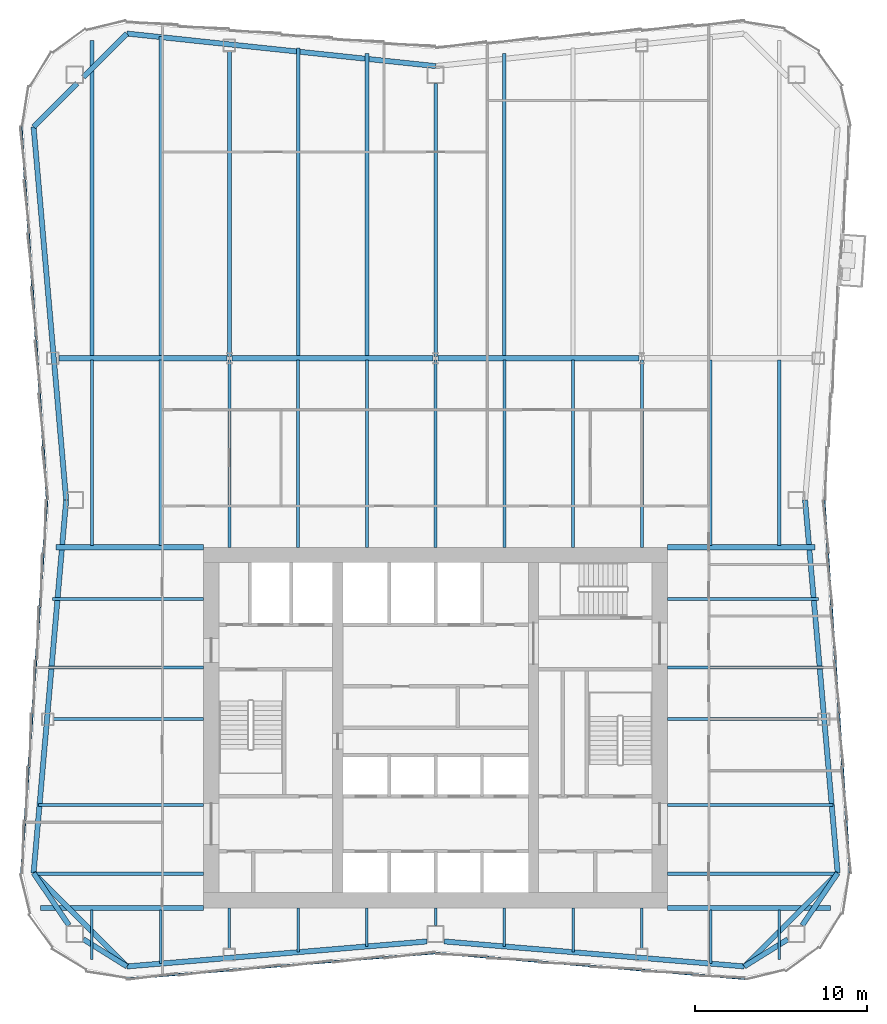
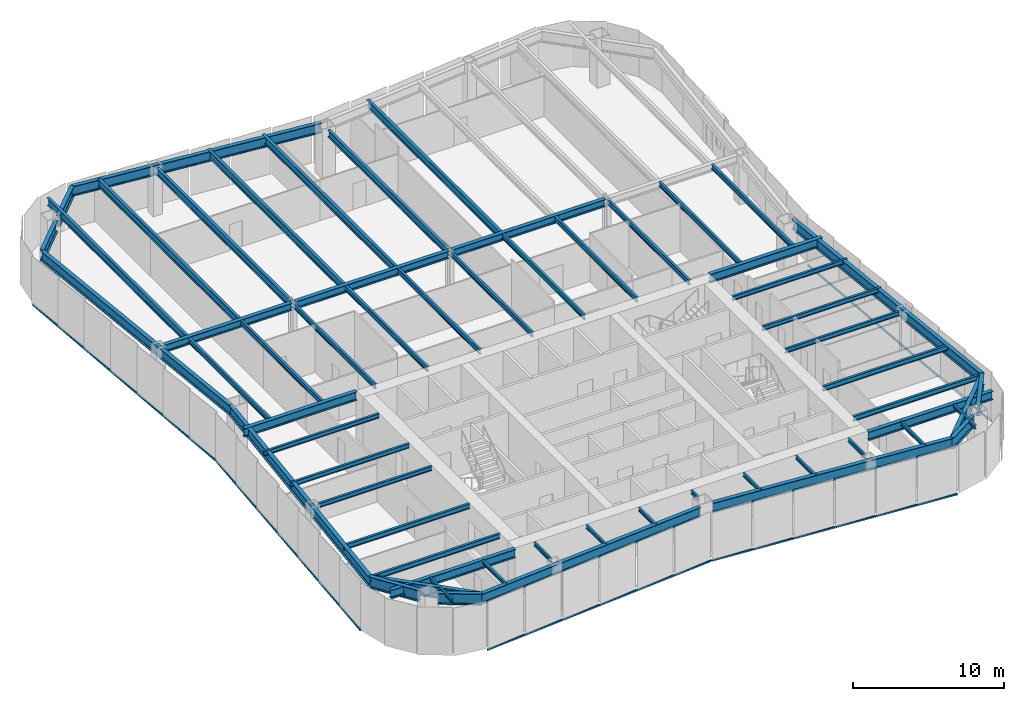
# One storey, part 2 of 10: 60 beams, 5 members, 3 elements without a shape of their own.
"""IFC4 building model written with IfcOpenShell, lengths in metres."""

from ifc_helpers import new_model, si_unit, direction, frame, origin, origin_2d, place, context, subcontext, project, spatial, rectangle, i_section, extrude, material, material_profile, profile_set, type_object, element, aggregate, save


model = new_model("IFC4")

# Units and contexts
model_context = context("Model", 3, precision=1e-05, world=origin(), true_north=direction((0.0, 1.0)))
body_context = subcontext(model_context, "Body", "Model", "MODEL_VIEW")
ifc_project = project(units=[si_unit("LENGTHUNIT", "METRE"), si_unit("AREAUNIT", "SQUARE_METRE"), si_unit("VOLUMEUNIT", "CUBIC_METRE"), si_unit("PLANEANGLEUNIT", "RADIAN"), si_unit("MASSUNIT", "GRAM", prefix="KILO")], contexts=[model_context])

# Site, building, storey
site_placement = place(None, origin())
site = spatial("IfcSite", under=ifc_project, at=site_placement, CompositionType="ELEMENT")
building_placement = place(site_placement, origin())
building = spatial("IfcBuilding", under=site, at=building_placement, Name="Verdant Reach Tower", CompositionType="ELEMENT")
storey_placement = place(building_placement, frame((0.0, 0.0, 210.0)))
storey = spatial("IfcBuildingStorey", under=building, at=storey_placement, Name="L48", CompositionType="ELEMENT", Elevation=210.0)

# Curtain wall, member
ifc_material_1 = material(Name="Anodised aluminium", Category="aluminium")
curtain_wall_type = type_object("IfcCurtainWallType", Name="EN-CW SYSTEM Z3", PredefinedType="NOTDEFINED", material=ifc_material_1)
curtain_wall_1_placement = place(storey_placement, origin())
curtain_wall_1 = element("IfcCurtainWall", 1, at=curtain_wall_1_placement, inside=storey, type_object=curtain_wall_type, Name="Curtain wall east, L48", PredefinedType="NOTDEFINED")
ifc_material_profile_1 = material_profile(ifc_material_1, rectangle(XDim=0.10009765625, YDim=0.1259765625, at=origin_2d()), Name="Transom 126x100")
ifc_profile_set_1 = profile_set([ifc_material_profile_1], Name="Anodised aluminium")
member_type = type_object("IfcMemberType", Name="EN-TRANSOM Z3", PredefinedType="USERDEFINED", material=ifc_profile_set_1)
member_1_placement = place(storey_placement, frame((24.1064453125, 19.52587890625, -0.287109375), z_axis=(-0.068764326054, 0.997632932226, 0.0), x_axis=(-0.997632932226, -0.068764326054, 0.0)))
member_1 = element("IfcMember", 2, at=member_1_placement, type_object=member_type, Name="Transom east face part 1 1.1, L48", ObjectType="TRANSOM", PredefinedType="USERDEFINED", context=body_context, shape_type="SweptSolid", body=[
    extrude(rectangle(XDim=0.10009765625, YDim=0.1259765625, at=origin_2d()), origin(), (0.0, 0.0, 1.0), 21.74267578125),
])
aggregate(curtain_wall_1, [member_1])

# Curtain wall, members
curtain_wall_2_placement = place(storey_placement, origin())
curtain_wall_2 = element("IfcCurtainWall", 3, at=curtain_wall_2_placement, inside=storey, type_object=curtain_wall_type, Name="Curtain wall west, L48", PredefinedType="NOTDEFINED")
member_2_placement = place(storey_placement, frame((-24.1064453125, 62.97412109375, -0.287109375), z_axis=(0.068764326054, -0.997632932226, 0.0), x_axis=(0.997632932226, 0.068764326054, 0.0)))
member_2 = element("IfcMember", 4, at=member_2_placement, type_object=member_type, Name="Transom west face part 1 1.1, L48", ObjectType="TRANSOM", PredefinedType="USERDEFINED", context=body_context, shape_type="SweptSolid", body=[
    extrude(rectangle(XDim=0.10009765625, YDim=0.1259765625, at=origin_2d()), origin(), (0.0, 0.0, 1.0), 21.74267578125),
])
member_3_placement = place(storey_placement, frame((-22.611328125, 41.217041015625, -0.287109375), z_axis=(-0.068764326054, -0.997632932226, 0.0), x_axis=(0.997632932226, -0.068764326054, 0.0)))
member_3 = element("IfcMember", 5, at=member_3_placement, type_object=member_type, Name="Transom west face part 2 1.1, L48", ObjectType="TRANSOM", PredefinedType="USERDEFINED", context=body_context, shape_type="SweptSolid", body=[
    extrude(rectangle(XDim=0.10009765625, YDim=0.1259765625, at=origin_2d()), origin(), (0.0, 0.0, 1.0), 21.74267578125),
])
aggregate(curtain_wall_2, [member_2, member_3])

curtain_wall_3_placement = place(storey_placement, origin())
curtain_wall_3 = element("IfcCurtainWall", 6, at=curtain_wall_3_placement, inside=storey, type_object=curtain_wall_type, Name="Curtain wall south, L48", PredefinedType="NOTDEFINED")
member_4_placement = place(storey_placement, frame((-17.973388671875, 13.393798828125, -0.287109375), z_axis=(0.996548750467, 0.083009565369, 0.0), x_axis=(-0.083009565369, 0.996548750467, 0.0)))
member_4 = element("IfcMember", 7, at=member_4_placement, type_object=member_type, Name="Transom south face part 1 1.1, L48", ObjectType="TRANSOM", PredefinedType="USERDEFINED", context=body_context, shape_type="SweptSolid", body=[
    extrude(rectangle(XDim=0.10009765625, YDim=0.1259765625, at=origin_2d()), origin(), (0.0, 0.0, 1.0), 18.00244140625),
])
member_5_placement = place(storey_placement, frame((0.032958984375, 14.88818359375, -0.287109375), z_axis=(0.996548750467, -0.083009565369, 0.0), x_axis=(0.083009565369, 0.996548750467, 0.0)))
member_5 = element("IfcMember", 8, at=member_5_placement, type_object=member_type, Name="Transom south face part 2 1.1, L48", ObjectType="TRANSOM", PredefinedType="USERDEFINED", context=body_context, shape_type="SweptSolid", body=[
    extrude(rectangle(XDim=0.10009765625, YDim=0.1259765625, at=origin_2d()), origin(), (0.0, 0.0, 1.0), 18.00244140625),
])
aggregate(curtain_wall_3, [member_4, member_5])

# Beams
ifc_material_2 = material(Name="Steel S355", Category="steel")
ifc_material_profile_2 = material_profile(ifc_material_2, i_section(OverallWidth=0.300048828125, OverallDepth=0.60009765625, WebThickness=0.015380859375, FlangeThickness=0.030029296875, FilletRadius=0.027099609375, at=origin_2d()), Name="HEB 600")
ifc_profile_set_2 = profile_set([ifc_material_profile_2], Name="Steel S355")
beam_type_1 = type_object("IfcBeamType", Name="ST-BEAM-HEB600", PredefinedType="BEAM", material=ifc_profile_set_2)
beam_1_placement = place(storey_placement, frame((-21.9189453125, 49.5, 3.570068359375), z_axis=(1.0, 0.0, 0.0), x_axis=(0.0, 1.0, 0.0)))
element("IfcBeam", 9, at=beam_1_placement, inside=storey, type_object=beam_type_1, Name="Row girder, L48", PredefinedType="BEAM", context=body_context, shape_type="SweptSolid", body=[
    extrude(i_section(OverallWidth=0.300048828125, OverallDepth=0.60009765625, WebThickness=0.015380859375, FlangeThickness=0.030029296875, FilletRadius=0.027099609375, at=origin_2d()), origin(), (0.0, 0.0, 1.0), 9.766357421875),
])
for number, where, z_axis, x_axis, name in (
    (10, (-11.847412109375, 49.5, 3.570068359375), (1.0, 0.0, 0.0), (0.0, 1.0, 0.0), "Row girder, L48"),
    (11, (0.152587890625, 49.5, 3.570068359375), (1.0, 0.0, 0.0), (0.0, 1.0, 0.0), "Row girder, L48"),
):
    element("IfcBeam", number, at=place(storey_placement, frame(where, z_axis=z_axis, x_axis=x_axis)), inside=storey, type_object=beam_type_1, Name=name, PredefinedType="BEAM", context=body_context, shape_type="SweptSolid", body=[
        extrude(i_section(OverallWidth=0.300048828125, OverallDepth=0.60009765625, WebThickness=0.015380859375, FlangeThickness=0.030029296875, FilletRadius=0.027099609375, at=origin_2d()), origin(), (0.0, 0.0, 1.0), 11.69482421875),
    ])
ifc_material_profile_3 = material_profile(ifc_material_2, i_section(OverallWidth=0.300048828125, OverallDepth=0.699951171875, WebThickness=0.01708984375, FlangeThickness=0.031982421875, FilletRadius=0.027099609375, at=origin_2d()), Name="HEB 700")
ifc_profile_set_3 = profile_set([ifc_material_profile_3], Name="Steel S355")
beam_type_2 = type_object("IfcBeamType", Name="ST-BEAM-HEB700", PredefinedType="BEAM", material=ifc_profile_set_3)
for number, where, z_axis, x_axis, name in (
    (12, (13.5, 38.5, 3.52001953125), (1.0, 0.0, 0.0), (0.0, 1.0, 0.0), "Trimmer beam, L48"),
    (13, (-13.5, 38.5, 3.52001953125), (-1.0, 0.0, 0.0), (0.0, -1.0, 0.0), "Trimmer beam, L48"),
):
    element("IfcBeam", number, at=place(storey_placement, frame(where, z_axis=z_axis, x_axis=x_axis)), inside=storey, type_object=beam_type_2, Name=name, PredefinedType="BEAM", context=body_context, shape_type="SweptSolid", body=[
        extrude(i_section(OverallWidth=0.300048828125, OverallDepth=0.699951171875, WebThickness=0.01708984375, FlangeThickness=0.031982421875, FilletRadius=0.027099609375, at=origin_2d()), origin(), (0.0, 0.0, 1.0), 8.588134765625),
    ])
for number, where, z_axis, x_axis, name in (
    (14, (13.5, 17.5, 3.52001953125), (1.0, 0.0, 0.0), (0.0, 1.0, 0.0), "Trimmer beam, L48"),
    (15, (-13.5, 17.5, 3.52001953125), (-1.0, 0.0, 0.0), (0.0, -1.0, 0.0), "Trimmer beam, L48"),
):
    element("IfcBeam", number, at=place(storey_placement, frame(where, z_axis=z_axis, x_axis=x_axis)), inside=storey, type_object=beam_type_2, Name=name, PredefinedType="BEAM", context=body_context, shape_type="SweptSolid", body=[
        extrude(i_section(OverallWidth=0.300048828125, OverallDepth=0.699951171875, WebThickness=0.01708984375, FlangeThickness=0.031982421875, FilletRadius=0.027099609375, at=origin_2d()), origin(), (0.0, 0.0, 1.0), 9.490478515625),
    ])
ifc_material_profile_4 = material_profile(ifc_material_2, i_section(OverallWidth=0.302001953125, OverallDepth=0.909912109375, WebThickness=0.02099609375, FlangeThickness=0.0400390625, FilletRadius=0.030029296875, at=origin_2d()), Name="HEM 900")
ifc_profile_set_4 = profile_set([ifc_material_profile_4], Name="Steel S355")
beam_type_3 = type_object("IfcBeamType", Name="ST-BEAM-HEM900", PredefinedType="BEAM", material=ifc_profile_set_4)
beam_2_placement = place(storey_placement, frame((20.5, 15.687744140625, 3.4150390625), z_axis=(-0.848163521635, -0.529734500073, 0.0), x_axis=(0.529734500073, -0.848163521635, 0.0)))
element("IfcBeam", 16, at=beam_2_placement, inside=storey, type_object=beam_type_3, Name="Column stub beam, L48", PredefinedType="BEAM", context=body_context, shape_type="SweptSolid", body=[
    extrude(i_section(OverallWidth=0.302001953125, OverallDepth=0.909912109375, WebThickness=0.02099609375, FlangeThickness=0.0400390625, FilletRadius=0.030029296875, at=origin_2d()), origin(), (0.0, 0.0, 1.0), 2.98779296875),
])
beam_3_placement = place(storey_placement, frame((21.33837890625, 16.5, 3.4150390625), z_axis=(0.560703975309, 0.828016335631, 0.0), x_axis=(-0.828016335631, 0.560703975309, 0.0)))
element("IfcBeam", 17, at=beam_3_placement, inside=storey, type_object=beam_type_3, Name="Column stub beam, L48", PredefinedType="BEAM", context=body_context, shape_type="SweptSolid", body=[
    extrude(i_section(OverallWidth=0.302001953125, OverallDepth=0.909912109375, WebThickness=0.02099609375, FlangeThickness=0.0400390625, FilletRadius=0.030029296875, at=origin_2d()), origin(), (0.0, 0.0, 1.0), 3.669677734375),
])
beam_4_placement = place(storey_placement, frame((-20.5, 15.687744140625, 3.4150390625), z_axis=(0.848163521635, -0.529734500073, 0.0), x_axis=(0.529734500073, 0.848163521635, 0.0)))
element("IfcBeam", 18, at=beam_4_placement, inside=storey, type_object=beam_type_3, Name="Column stub beam, L48", PredefinedType="BEAM", context=body_context, shape_type="SweptSolid", body=[
    extrude(i_section(OverallWidth=0.302001953125, OverallDepth=0.909912109375, WebThickness=0.02099609375, FlangeThickness=0.0400390625, FilletRadius=0.030029296875, at=origin_2d()), origin(), (0.0, 0.0, 1.0), 2.98779296875),
])
beam_5_placement = place(storey_placement, frame((-21.33837890625, 16.5, 3.4150390625), z_axis=(-0.560703975309, 0.828016335631, 0.0), x_axis=(-0.828016335631, -0.560703975309, 0.0)))
element("IfcBeam", 19, at=beam_5_placement, inside=storey, type_object=beam_type_3, Name="Column stub beam, L48", PredefinedType="BEAM", context=body_context, shape_type="SweptSolid", body=[
    extrude(i_section(OverallWidth=0.302001953125, OverallDepth=0.909912109375, WebThickness=0.02099609375, FlangeThickness=0.0400390625, FilletRadius=0.030029296875, at=origin_2d()), origin(), (0.0, 0.0, 1.0), 3.669677734375),
])
ifc_material_profile_5 = material_profile(ifc_material_2, i_section(OverallWidth=0.14990234375, OverallDepth=0.300048828125, WebThickness=0.007080078125, FlangeThickness=0.0107421875, FilletRadius=0.014892578125, at=origin_2d()), Name="IPE 300")
ifc_profile_set_5 = profile_set([ifc_material_profile_5], Name="Steel S355")
beam_type_4 = type_object("IfcBeamType", Name="ST-JOIST-IPE300", PredefinedType="JOIST", material=ifc_profile_set_5)
beam_6_placement = place(storey_placement, frame((-20.0, 17.39990234375, 3.719970703125), z_axis=(0.0, -1.0, 0.0), x_axis=(1.0, 0.0, 0.0)))
element("IfcBeam", 20, at=beam_6_placement, inside=storey, type_object=beam_type_4, Name="Floor joist, L48", PredefinedType="JOIST", context=body_context, shape_type="SweptSolid", body=[
    extrude(i_section(OverallWidth=0.14990234375, OverallDepth=0.300048828125, WebThickness=0.007080078125, FlangeThickness=0.0107421875, FilletRadius=0.014892578125, at=origin_2d()), origin(), (0.0, 0.0, 1.0), 2.890380859375),
])
beam_7_placement = place(storey_placement, frame((-16.0, 17.39990234375, 3.719970703125), z_axis=(0.0, -1.0, 0.0), x_axis=(1.0, 0.0, 0.0)))
element("IfcBeam", 21, at=beam_7_placement, inside=storey, type_object=beam_type_4, Name="Floor joist, L48", PredefinedType="JOIST", context=body_context, shape_type="SweptSolid", body=[
    extrude(i_section(OverallWidth=0.14990234375, OverallDepth=0.300048828125, WebThickness=0.007080078125, FlangeThickness=0.0107421875, FilletRadius=0.014892578125, at=origin_2d()), origin(), (0.0, 0.0, 1.0), 3.131103515625),
])
beam_8_placement = place(storey_placement, frame((-12.0, 17.5, 3.719970703125), z_axis=(0.0, -1.0, 0.0), x_axis=(1.0, 0.0, 0.0)))
element("IfcBeam", 22, at=beam_8_placement, inside=storey, type_object=beam_type_4, Name="Floor joist, L48", PredefinedType="JOIST", context=body_context, shape_type="SweptSolid", body=[
    extrude(i_section(OverallWidth=0.14990234375, OverallDepth=0.300048828125, WebThickness=0.007080078125, FlangeThickness=0.0107421875, FilletRadius=0.014892578125, at=origin_2d()), origin(), (0.0, 0.0, 1.0), 2.35009765625),
])
beam_9_placement = place(storey_placement, frame((-8.0, 17.5, 3.719970703125), z_axis=(0.0, -1.0, 0.0), x_axis=(1.0, 0.0, 0.0)))
element("IfcBeam", 23, at=beam_9_placement, inside=storey, type_object=beam_type_4, Name="Floor joist, L48", PredefinedType="JOIST", context=body_context, shape_type="SweptSolid", body=[
    extrude(i_section(OverallWidth=0.14990234375, OverallDepth=0.300048828125, WebThickness=0.007080078125, FlangeThickness=0.0107421875, FilletRadius=0.014892578125, at=origin_2d()), origin(), (0.0, 0.0, 1.0), 2.564697265625),
])
beam_10_placement = place(storey_placement, frame((-4.0, 17.5, 3.719970703125), z_axis=(0.0, -1.0, 0.0), x_axis=(1.0, 0.0, 0.0)))
element("IfcBeam", 24, at=beam_10_placement, inside=storey, type_object=beam_type_4, Name="Floor joist, L48", PredefinedType="JOIST", context=body_context, shape_type="SweptSolid", body=[
    extrude(i_section(OverallWidth=0.14990234375, OverallDepth=0.300048828125, WebThickness=0.007080078125, FlangeThickness=0.0107421875, FilletRadius=0.014892578125, at=origin_2d()), origin(), (0.0, 0.0, 1.0), 2.231201171875),
])
beam_11_placement = place(storey_placement, frame((0.0, 17.5, 3.719970703125), z_axis=(0.0, -1.0, 0.0), x_axis=(1.0, 0.0, 0.0)))
element("IfcBeam", 25, at=beam_11_placement, inside=storey, type_object=beam_type_4, Name="Floor joist, L48", PredefinedType="JOIST", context=body_context, shape_type="SweptSolid", body=[
    extrude(i_section(OverallWidth=0.14990234375, OverallDepth=0.300048828125, WebThickness=0.007080078125, FlangeThickness=0.0107421875, FilletRadius=0.014892578125, at=origin_2d()), origin(), (0.0, 0.0, 1.0), 1.0),
])
beam_12_placement = place(storey_placement, frame((4.0, 17.5, 3.719970703125), z_axis=(0.0, -1.0, 0.0), x_axis=(1.0, 0.0, 0.0)))
element("IfcBeam", 26, at=beam_12_placement, inside=storey, type_object=beam_type_4, Name="Floor joist, L48", PredefinedType="JOIST", context=body_context, shape_type="SweptSolid", body=[
    extrude(i_section(OverallWidth=0.14990234375, OverallDepth=0.300048828125, WebThickness=0.007080078125, FlangeThickness=0.0107421875, FilletRadius=0.014892578125, at=origin_2d()), origin(), (0.0, 0.0, 1.0), 2.231201171875),
])
beam_13_placement = place(storey_placement, frame((8.0, 17.5, 3.719970703125), z_axis=(0.0, -1.0, 0.0), x_axis=(1.0, 0.0, 0.0)))
element("IfcBeam", 27, at=beam_13_placement, inside=storey, type_object=beam_type_4, Name="Floor joist, L48", PredefinedType="JOIST", context=body_context, shape_type="SweptSolid", body=[
    extrude(i_section(OverallWidth=0.14990234375, OverallDepth=0.300048828125, WebThickness=0.007080078125, FlangeThickness=0.0107421875, FilletRadius=0.014892578125, at=origin_2d()), origin(), (0.0, 0.0, 1.0), 2.564697265625),
])
beam_14_placement = place(storey_placement, frame((12.0, 17.5, 3.719970703125), z_axis=(0.0, -1.0, 0.0), x_axis=(1.0, 0.0, 0.0)))
element("IfcBeam", 28, at=beam_14_placement, inside=storey, type_object=beam_type_4, Name="Floor joist, L48", PredefinedType="JOIST", context=body_context, shape_type="SweptSolid", body=[
    extrude(i_section(OverallWidth=0.14990234375, OverallDepth=0.300048828125, WebThickness=0.007080078125, FlangeThickness=0.0107421875, FilletRadius=0.014892578125, at=origin_2d()), origin(), (0.0, 0.0, 1.0), 2.35009765625),
])
beam_15_placement = place(storey_placement, frame((16.0, 17.39990234375, 3.719970703125), z_axis=(0.0, -1.0, 0.0), x_axis=(1.0, 0.0, 0.0)))
element("IfcBeam", 29, at=beam_15_placement, inside=storey, type_object=beam_type_4, Name="Floor joist, L48", PredefinedType="JOIST", context=body_context, shape_type="SweptSolid", body=[
    extrude(i_section(OverallWidth=0.14990234375, OverallDepth=0.300048828125, WebThickness=0.007080078125, FlangeThickness=0.0107421875, FilletRadius=0.014892578125, at=origin_2d()), origin(), (0.0, 0.0, 1.0), 3.131103515625),
])
beam_16_placement = place(storey_placement, frame((20.0, 17.39990234375, 3.719970703125), z_axis=(0.0, -1.0, 0.0), x_axis=(1.0, 0.0, 0.0)))
element("IfcBeam", 30, at=beam_16_placement, inside=storey, type_object=beam_type_4, Name="Floor joist, L48", PredefinedType="JOIST", context=body_context, shape_type="SweptSolid", body=[
    extrude(i_section(OverallWidth=0.14990234375, OverallDepth=0.300048828125, WebThickness=0.007080078125, FlangeThickness=0.0107421875, FilletRadius=0.014892578125, at=origin_2d()), origin(), (0.0, 0.0, 1.0), 2.890380859375),
])
ifc_material_profile_6 = material_profile(ifc_material_2, i_section(OverallWidth=0.169921875, OverallDepth=0.360107421875, WebThickness=0.008056640625, FlangeThickness=0.0126953125, FilletRadius=0.01806640625, at=origin_2d()), Name="IPE 360")
ifc_profile_set_6 = profile_set([ifc_material_profile_6], Name="Steel S355")
beam_type_5 = type_object("IfcBeamType", Name="ST-JOIST-IPE360", PredefinedType="JOIST", material=ifc_profile_set_6)
for number, where, z_axis, x_axis, name in (
    (31, (13.5, 28.5, 3.68994140625), (1.0, 0.0, 0.0), (0.0, 1.0, 0.0), "Floor joist, L48"),
    (32, (-13.5, 28.5, 3.68994140625), (-1.0, 0.0, 0.0), (0.0, -1.0, 0.0), "Floor joist, L48"),
):
    element("IfcBeam", number, at=place(storey_placement, frame(where, z_axis=z_axis, x_axis=x_axis)), inside=storey, type_object=beam_type_5, Name=name, PredefinedType="JOIST", context=body_context, shape_type="SweptSolid", body=[
        extrude(i_section(OverallWidth=0.169921875, OverallDepth=0.360107421875, WebThickness=0.008056640625, FlangeThickness=0.0126953125, FilletRadius=0.01806640625, at=origin_2d()), origin(), (0.0, 0.0, 1.0), 8.729248046875),
    ])
for number, where, z_axis, x_axis, name in (
    (33, (13.5, 31.5, 3.68994140625), (1.0, 0.0, 0.0), (0.0, 1.0, 0.0), "Floor joist, L48"),
    (34, (-13.5, 31.5, 3.68994140625), (-1.0, 0.0, 0.0), (0.0, -1.0, 0.0), "Floor joist, L48"),
):
    element("IfcBeam", number, at=place(storey_placement, frame(where, z_axis=z_axis, x_axis=x_axis)), inside=storey, type_object=beam_type_5, Name=name, PredefinedType="JOIST", context=body_context, shape_type="SweptSolid", body=[
        extrude(i_section(OverallWidth=0.169921875, OverallDepth=0.360107421875, WebThickness=0.008056640625, FlangeThickness=0.0126953125, FilletRadius=0.01806640625, at=origin_2d()), origin(), (0.0, 0.0, 1.0), 9.071044921875),
    ])
for number, where, z_axis, x_axis, name in (
    (35, (13.5, 35.5, 3.68994140625), (1.0, 0.0, 0.0), (0.0, 1.0, 0.0), "Floor joist, L48"),
    (36, (-13.5, 35.5, 3.68994140625), (-1.0, 0.0, 0.0), (0.0, -1.0, 0.0), "Floor joist, L48"),
):
    element("IfcBeam", number, at=place(storey_placement, frame(where, z_axis=z_axis, x_axis=x_axis)), inside=storey, type_object=beam_type_5, Name=name, PredefinedType="JOIST", context=body_context, shape_type="SweptSolid", body=[
        extrude(i_section(OverallWidth=0.169921875, OverallDepth=0.360107421875, WebThickness=0.008056640625, FlangeThickness=0.0126953125, FilletRadius=0.01806640625, at=origin_2d()), origin(), (0.0, 0.0, 1.0), 8.795166015625),
    ])
ifc_material_profile_7 = material_profile(ifc_material_2, i_section(OverallWidth=0.179931640625, OverallDepth=0.39990234375, WebThickness=0.008544921875, FlangeThickness=0.013427734375, FilletRadius=0.02099609375, at=origin_2d()), Name="IPE 400")
ifc_profile_set_7 = profile_set([ifc_material_profile_7], Name="Steel S355")
beam_type_6 = type_object("IfcBeamType", Name="ST-JOIST-IPE400", PredefinedType="JOIST", material=ifc_profile_set_7)
for number, where, z_axis, x_axis, name in (
    (37, (-20.0, 38.60009765625, 3.669921875), (0.0, 1.0, 0.0), (-1.0, 0.0, 0.0), "Floor joist, L48"),
    (38, (-16.0, 38.60009765625, 3.669921875), (0.0, 1.0, 0.0), (-1.0, 0.0, 0.0), "Floor joist, L48"),
):
    element("IfcBeam", number, at=place(storey_placement, frame(where, z_axis=z_axis, x_axis=x_axis)), inside=storey, type_object=beam_type_6, Name=name, PredefinedType="JOIST", context=body_context, shape_type="SweptSolid", body=[
        extrude(i_section(OverallWidth=0.179931640625, OverallDepth=0.39990234375, WebThickness=0.008544921875, FlangeThickness=0.013427734375, FilletRadius=0.02099609375, at=origin_2d()), origin(), (0.0, 0.0, 1.0), 10.7998046875),
    ])
for number, where, z_axis, x_axis, name in (
    (39, (-12.0, 38.5, 3.669921875), (0.0, 1.0, 0.0), (-1.0, 0.0, 0.0), "Floor joist, L48"),
    (40, (-8.0, 38.5, 3.669921875), (0.0, 1.0, 0.0), (-1.0, 0.0, 0.0), "Floor joist, L48"),
    (41, (-4.0, 38.5, 3.669921875), (0.0, 1.0, 0.0), (-1.0, 0.0, 0.0), "Floor joist, L48"),
    (42, (0.0, 38.5, 3.669921875), (0.0, 1.0, 0.0), (-1.0, 0.0, 0.0), "Floor joist, L48"),
    (43, (4.0, 38.5, 3.669921875), (0.0, 1.0, 0.0), (-1.0, 0.0, 0.0), "Floor joist, L48"),
    (44, (8.0, 38.5, 3.669921875), (0.0, 1.0, 0.0), (-1.0, 0.0, 0.0), "Floor joist, L48"),
    (45, (12.0, 38.5, 3.669921875), (0.0, 1.0, 0.0), (-1.0, 0.0, 0.0), "Floor joist, L48"),
):
    element("IfcBeam", number, at=place(storey_placement, frame(where, z_axis=z_axis, x_axis=x_axis)), inside=storey, type_object=beam_type_6, Name=name, PredefinedType="JOIST", context=body_context, shape_type="SweptSolid", body=[
        extrude(i_section(OverallWidth=0.179931640625, OverallDepth=0.39990234375, WebThickness=0.008544921875, FlangeThickness=0.013427734375, FilletRadius=0.02099609375, at=origin_2d()), origin(), (0.0, 0.0, 1.0), 10.89990234375),
    ])
for number, where, z_axis, x_axis, name in (
    (46, (16.0, 38.60009765625, 3.669921875), (0.0, 1.0, 0.0), (-1.0, 0.0, 0.0), "Floor joist, L48"),
    (47, (20.0, 38.60009765625, 3.669921875), (0.0, 1.0, 0.0), (-1.0, 0.0, 0.0), "Floor joist, L48"),
):
    element("IfcBeam", number, at=place(storey_placement, frame(where, z_axis=z_axis, x_axis=x_axis)), inside=storey, type_object=beam_type_6, Name=name, PredefinedType="JOIST", context=body_context, shape_type="SweptSolid", body=[
        extrude(i_section(OverallWidth=0.179931640625, OverallDepth=0.39990234375, WebThickness=0.008544921875, FlangeThickness=0.013427734375, FilletRadius=0.02099609375, at=origin_2d()), origin(), (0.0, 0.0, 1.0), 10.7998046875),
    ])
for number, where, z_axis, x_axis, name in (
    (48, (13.5, 19.5, 3.669921875), (1.0, 0.0, 0.0), (0.0, 1.0, 0.0), "Floor joist, L48"),
    (49, (-13.5, 19.5, 3.669921875), (-1.0, 0.0, 0.0), (0.0, -1.0, 0.0), "Floor joist, L48"),
):
    element("IfcBeam", number, at=place(storey_placement, frame(where, z_axis=z_axis, x_axis=x_axis)), inside=storey, type_object=beam_type_6, Name=name, PredefinedType="JOIST", context=body_context, shape_type="SweptSolid", body=[
        extrude(i_section(OverallWidth=0.179931640625, OverallDepth=0.39990234375, WebThickness=0.008544921875, FlangeThickness=0.013427734375, FilletRadius=0.02099609375, at=origin_2d()), origin(), (0.0, 0.0, 1.0), 9.88818359375),
    ])
for number, where, z_axis, x_axis, name in (
    (50, (13.5, 23.5, 3.669921875), (1.0, 0.0, 0.0), (0.0, 1.0, 0.0), "Floor joist, L48"),
    (51, (-13.5, 23.5, 3.669921875), (-1.0, 0.0, 0.0), (0.0, -1.0, 0.0), "Floor joist, L48"),
):
    element("IfcBeam", number, at=place(storey_placement, frame(where, z_axis=z_axis, x_axis=x_axis)), inside=storey, type_object=beam_type_6, Name=name, PredefinedType="JOIST", context=body_context, shape_type="SweptSolid", body=[
        extrude(i_section(OverallWidth=0.179931640625, OverallDepth=0.39990234375, WebThickness=0.008544921875, FlangeThickness=0.013427734375, FilletRadius=0.02099609375, at=origin_2d()), origin(), (0.0, 0.0, 1.0), 9.622802734375),
    ])
ifc_material_profile_8 = material_profile(ifc_material_2, i_section(OverallWidth=0.2099609375, OverallDepth=0.550048828125, WebThickness=0.010986328125, FlangeThickness=0.01708984375, FilletRadius=0.02392578125, at=origin_2d()), Name="IPE 550")
ifc_profile_set_8 = profile_set([ifc_material_profile_8], Name="Steel S355")
beam_type_7 = type_object("IfcBeamType", Name="ST-JOIST-IPE550", PredefinedType="JOIST", material=ifc_profile_set_8)
beam_17_placement = place(storey_placement, frame((0.0, 49.60009765625, 3.594970703125), z_axis=(0.0, 1.0, 0.0), x_axis=(-1.0, 0.0, 0.0)))
element("IfcBeam", 52, at=beam_17_placement, inside=storey, type_object=beam_type_7, Name="Floor joist, L48", PredefinedType="JOIST", context=body_context, shape_type="SweptSolid", body=[
    extrude(i_section(OverallWidth=0.2099609375, OverallDepth=0.550048828125, WebThickness=0.010986328125, FlangeThickness=0.01708984375, FilletRadius=0.02392578125, at=origin_2d()), origin(), (0.0, 0.0, 1.0), 15.89990234375),
])
ifc_material_profile_9 = material_profile(ifc_material_2, i_section(OverallWidth=0.219970703125, OverallDepth=0.60009765625, WebThickness=0.011962890625, FlangeThickness=0.01904296875, FilletRadius=0.02392578125, at=origin_2d()), Name="IPE 600")
ifc_profile_set_9 = profile_set([ifc_material_profile_9], Name="Steel S355")
beam_type_8 = type_object("IfcBeamType", Name="ST-JOIST-IPE600", PredefinedType="JOIST", material=ifc_profile_set_9)
beam_18_placement = place(storey_placement, frame((-20.0, 49.60009765625, 3.570068359375), z_axis=(0.0, 1.0, 0.0), x_axis=(-1.0, 0.0, 0.0)))
element("IfcBeam", 53, at=beam_18_placement, inside=storey, type_object=beam_type_8, Name="Floor joist, L48", PredefinedType="JOIST", context=body_context, shape_type="SweptSolid", body=[
    extrude(i_section(OverallWidth=0.219970703125, OverallDepth=0.60009765625, WebThickness=0.011962890625, FlangeThickness=0.01904296875, FilletRadius=0.02392578125, at=origin_2d()), origin(), (0.0, 0.0, 1.0), 18.390380859375),
])
beam_19_placement = place(storey_placement, frame((-16.0, 49.60009765625, 3.570068359375), z_axis=(0.0, 1.0, 0.0), x_axis=(-1.0, 0.0, 0.0)))
element("IfcBeam", 54, at=beam_19_placement, inside=storey, type_object=beam_type_8, Name="Floor joist, L48", PredefinedType="JOIST", context=body_context, shape_type="SweptSolid", body=[
    extrude(i_section(OverallWidth=0.219970703125, OverallDepth=0.60009765625, WebThickness=0.011962890625, FlangeThickness=0.01904296875, FilletRadius=0.02392578125, at=origin_2d()), origin(), (0.0, 0.0, 1.0), 18.631103515625),
])
beam_20_placement = place(storey_placement, frame((-12.0, 49.60009765625, 3.570068359375), z_axis=(0.0, 1.0, 0.0), x_axis=(-1.0, 0.0, 0.0)))
element("IfcBeam", 55, at=beam_20_placement, inside=storey, type_object=beam_type_8, Name="Floor joist, L48", PredefinedType="JOIST", context=body_context, shape_type="SweptSolid", body=[
    extrude(i_section(OverallWidth=0.219970703125, OverallDepth=0.60009765625, WebThickness=0.011962890625, FlangeThickness=0.01904296875, FilletRadius=0.02392578125, at=origin_2d()), origin(), (0.0, 0.0, 1.0), 17.75),
])
beam_21_placement = place(storey_placement, frame((-8.0, 49.60009765625, 3.570068359375), z_axis=(0.0, 1.0, 0.0), x_axis=(-1.0, 0.0, 0.0)))
element("IfcBeam", 56, at=beam_21_placement, inside=storey, type_object=beam_type_8, Name="Floor joist, L48", PredefinedType="JOIST", context=body_context, shape_type="SweptSolid", body=[
    extrude(i_section(OverallWidth=0.219970703125, OverallDepth=0.60009765625, WebThickness=0.011962890625, FlangeThickness=0.01904296875, FilletRadius=0.02392578125, at=origin_2d()), origin(), (0.0, 0.0, 1.0), 17.964599609375),
])
for number, where, z_axis, x_axis, name in (
    (57, (-4.0, 49.60009765625, 3.570068359375), (0.0, 1.0, 0.0), (-1.0, 0.0, 0.0), "Floor joist, L48"),
    (58, (4.0, 49.60009765625, 3.570068359375), (0.0, 1.0, 0.0), (-1.0, 0.0, 0.0), "Floor joist, L48"),
):
    element("IfcBeam", number, at=place(storey_placement, frame(where, z_axis=z_axis, x_axis=x_axis)), inside=storey, type_object=beam_type_8, Name=name, PredefinedType="JOIST", context=body_context, shape_type="SweptSolid", body=[
        extrude(i_section(OverallWidth=0.219970703125, OverallDepth=0.60009765625, WebThickness=0.011962890625, FlangeThickness=0.01904296875, FilletRadius=0.02392578125, at=origin_2d()), origin(), (0.0, 0.0, 1.0), 17.631103515625),
    ])
ifc_material_profile_10 = material_profile(ifc_material_2, i_section(OverallWidth=0.300048828125, OverallDepth=0.800048828125, WebThickness=0.017578125, FlangeThickness=0.032958984375, FilletRadius=0.030029296875, at=origin_2d()), Name="HEB 800")
ifc_profile_set_10 = profile_set([ifc_material_profile_10], Name="Steel S355")
beam_type_9 = type_object("IfcBeamType", Name="ST-SPANDREL-HEB800", PredefinedType="SPANDREL", material=ifc_profile_set_10)
for number, where, z_axis, x_axis, name in (
    (59, (17.9658203125, 14.10498046875, 3.469970703125), (-0.99654652675, 0.083036257282, 0.0), (-0.083036257282, -0.99654652675, 0.0), "Edge beam, L48"),
    (60, (-0.5, 15.560302734375, 3.469970703125), (-0.99654652675, -0.083036257282, 0.0), (0.083036257282, -0.99654652675, 0.0), "Edge beam, L48"),
):
    element("IfcBeam", number, at=place(storey_placement, frame(where, z_axis=z_axis, x_axis=x_axis)), inside=storey, type_object=beam_type_9, Name=name, PredefinedType="SPANDREL", context=body_context, shape_type="SweptSolid", body=[
        extrude(i_section(OverallWidth=0.300048828125, OverallDepth=0.800048828125, WebThickness=0.017578125, FlangeThickness=0.032958984375, FilletRadius=0.030029296875, at=origin_2d()), origin(), (0.0, 0.0, 1.0), 17.5263671875),
    ])
for number, where, z_axis, x_axis, name in (
    (61, (-23.39599609375, 19.53857421875, 3.469970703125), (0.086996024331, 0.996208658741, 0.0), (-0.996208658741, 0.086996024331, 0.0), "Edge beam, L48"),
    (62, (-21.5, 41.25, 3.469970703125), (-0.086996024331, 0.996208658741, 0.0), (-0.996208658741, -0.086996024331, 0.0), "Edge beam, L48"),
):
    element("IfcBeam", number, at=place(storey_placement, frame(where, z_axis=z_axis, x_axis=x_axis)), inside=storey, type_object=beam_type_9, Name=name, PredefinedType="SPANDREL", context=body_context, shape_type="SweptSolid", body=[
        extrude(i_section(OverallWidth=0.300048828125, OverallDepth=0.800048828125, WebThickness=0.017578125, FlangeThickness=0.032958984375, FilletRadius=0.030029296875, at=origin_2d()), origin(), (0.0, 0.0, 1.0), 21.7939453125),
    ])
beam_22_placement = place(storey_placement, frame((-17.9658203125, 68.39501953125, 3.469970703125), z_axis=(0.994483067002, -0.104897232783, 0.0), x_axis=(0.104897232783, 0.994483067002, 0.0)))
element("IfcBeam", 63, at=beam_22_placement, inside=storey, type_object=beam_type_9, Name="Edge beam, L48", PredefinedType="SPANDREL", context=body_context, shape_type="SweptSolid", body=[
    extrude(i_section(OverallWidth=0.300048828125, OverallDepth=0.800048828125, WebThickness=0.017578125, FlangeThickness=0.032958984375, FilletRadius=0.030029296875, at=origin_2d()), origin(), (0.0, 0.0, 1.0), 18.0654296875),
])
beam_23_placement = place(storey_placement, frame((21.5, 41.25, 3.469970703125), z_axis=(0.086996024331, -0.996208658741, 0.0), x_axis=(0.996208658741, 0.086996024331, 0.0)))
element("IfcBeam", 64, at=beam_23_placement, inside=storey, type_object=beam_type_9, Name="Edge beam, L48", PredefinedType="SPANDREL", context=body_context, shape_type="SweptSolid", body=[
    extrude(i_section(OverallWidth=0.300048828125, OverallDepth=0.800048828125, WebThickness=0.017578125, FlangeThickness=0.032958984375, FilletRadius=0.030029296875, at=origin_2d()), origin(), (0.0, 0.0, 1.0), 21.7939453125),
])
ifc_material_profile_11 = material_profile(ifc_material_2, i_section(OverallWidth=0.302001953125, OverallDepth=0.909912109375, WebThickness=0.02099609375, FlangeThickness=0.0400390625, FilletRadius=0.030029296875, at=origin_2d()), Name="HEM 900")
ifc_profile_set_11 = profile_set([ifc_material_profile_11], Name="Steel S355")
beam_type_10 = type_object("IfcBeamType", Name="ST-SPANDREL-HEM900", PredefinedType="SPANDREL", material=ifc_profile_set_11)
beam_24_placement = place(storey_placement, frame((-17.9658203125, 14.10498046875, 3.4150390625), z_axis=(-0.706884275642, 0.707329216738, 0.0), x_axis=(-0.707329216738, -0.706884275642, 0.0)))
element("IfcBeam", 65, at=beam_24_placement, inside=storey, type_object=beam_type_10, Name="Edge beam, L48", PredefinedType="SPANDREL", context=body_context, shape_type="SweptSolid", body=[
    extrude(i_section(OverallWidth=0.302001953125, OverallDepth=0.909912109375, WebThickness=0.02099609375, FlangeThickness=0.0400390625, FilletRadius=0.030029296875, at=origin_2d()), origin(), (0.0, 0.0, 1.0), 7.681884765625),
])
beam_25_placement = place(storey_placement, frame((-23.39599609375, 62.96142578125, 3.4150390625), z_axis=(0.706902680526, 0.707310822952, 0.0), x_axis=(-0.707310822952, 0.706902680526, 0.0)))
element("IfcBeam", 66, at=beam_25_placement, inside=storey, type_object=beam_type_10, Name="Edge beam, L48", PredefinedType="SPANDREL", context=body_context, shape_type="SweptSolid", body=[
    extrude(i_section(OverallWidth=0.302001953125, OverallDepth=0.909912109375, WebThickness=0.02099609375, FlangeThickness=0.0400390625, FilletRadius=0.030029296875, at=origin_2d()), origin(), (0.0, 0.0, 1.0), 3.589111328125),
])
beam_26_placement = place(storey_placement, frame((-20.5, 65.859130859375, 3.4150390625), z_axis=(0.706868394255, 0.707345087777, 0.0), x_axis=(-0.707345087777, 0.706868394255, 0.0)))
element("IfcBeam", 67, at=beam_26_placement, inside=storey, type_object=beam_type_10, Name="Edge beam, L48", PredefinedType="SPANDREL", context=body_context, shape_type="SweptSolid", body=[
    extrude(i_section(OverallWidth=0.302001953125, OverallDepth=0.909912109375, WebThickness=0.02099609375, FlangeThickness=0.0400390625, FilletRadius=0.030029296875, at=origin_2d()), origin(), (0.0, 0.0, 1.0), 3.5849609375),
])
beam_27_placement = place(storey_placement, frame((23.39599609375, 19.53857421875, 3.4150390625), z_axis=(-0.706884275642, -0.707329216738, 0.0), x_axis=(0.707329216738, -0.706884275642, 0.0)))
element("IfcBeam", 68, at=beam_27_placement, inside=storey, type_object=beam_type_10, Name="Edge beam, L48", PredefinedType="SPANDREL", context=body_context, shape_type="SweptSolid", body=[
    extrude(i_section(OverallWidth=0.302001953125, OverallDepth=0.909912109375, WebThickness=0.02099609375, FlangeThickness=0.0400390625, FilletRadius=0.030029296875, at=origin_2d()), origin(), (0.0, 0.0, 1.0), 7.681884765625),
])

save(model, "model.ifc")
